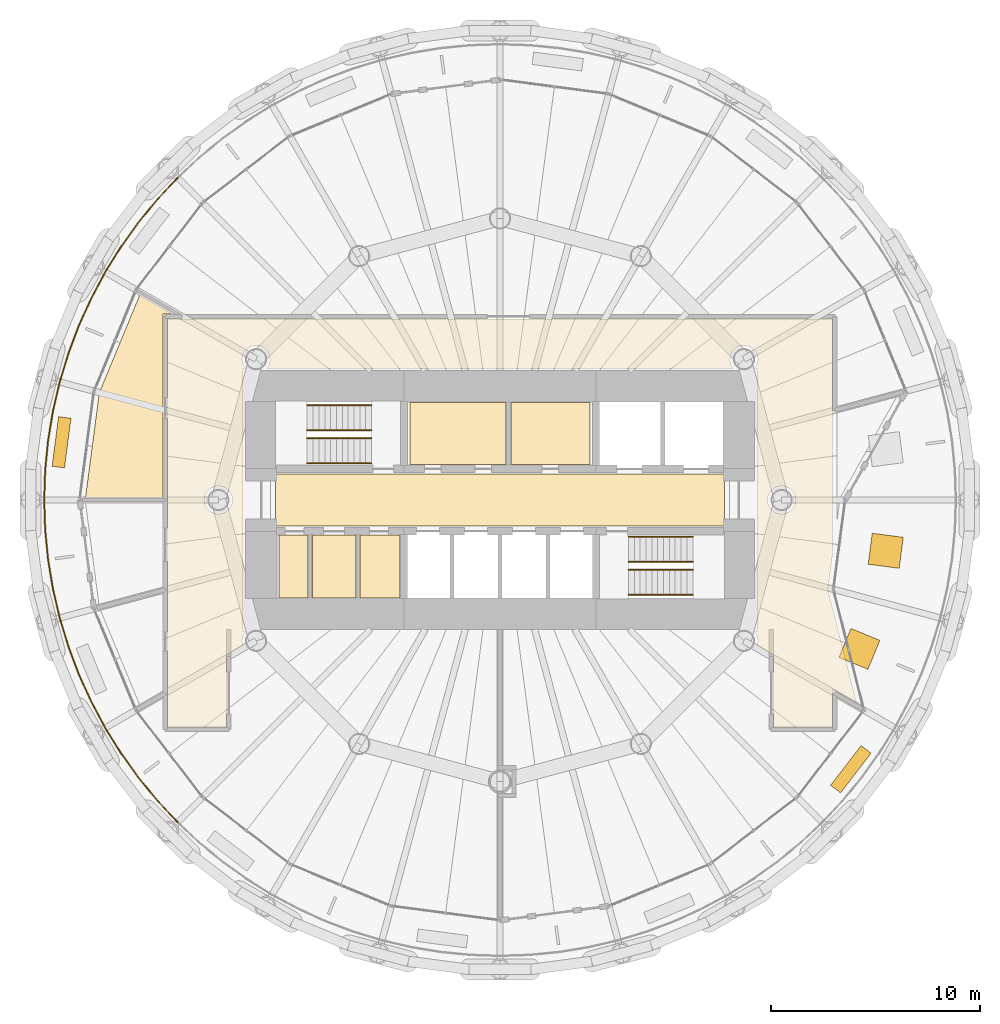
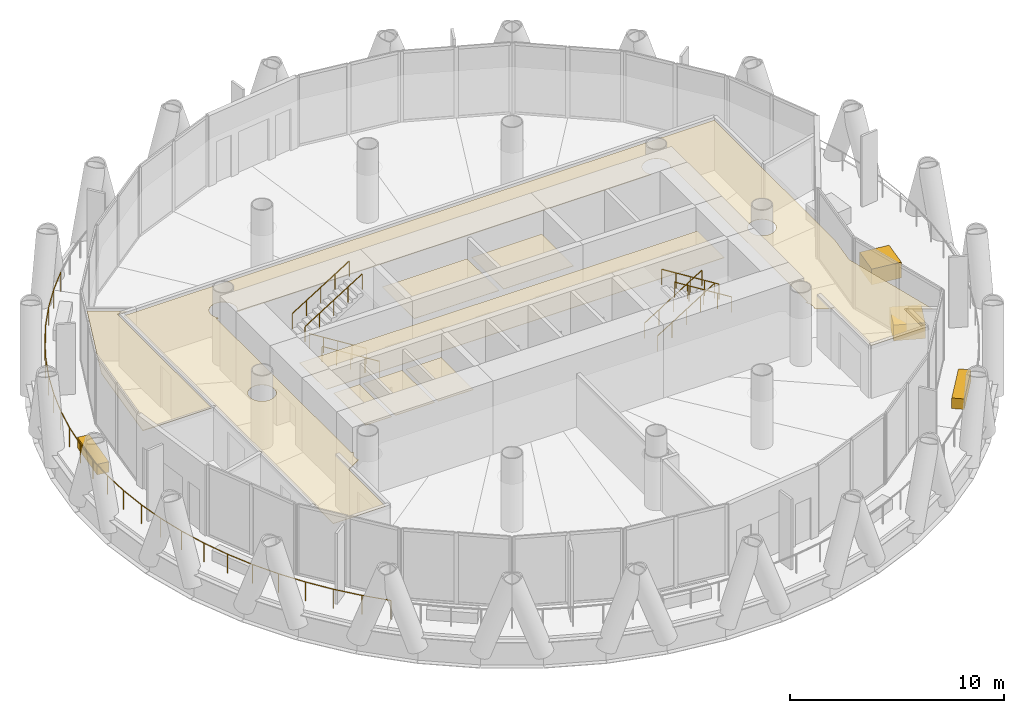
# One storey, part 12 of 13: 12 coverings, 9 railings.
"""IFC4 building model written with IfcOpenShell, lengths in metres."""

from ifc_helpers import new_model, si_unit, direction, frame, origin, origin_2d, place, context, subcontext, project, spatial, polyline, rectangle, circle, outline, extrude, material, layer, layer_set, type_object, element, save


model = new_model("IFC4")

# Units and contexts
model_context = context("Model", 3, precision=1e-05, world=origin(), true_north=direction((0.0, 1.0)))
body_context = subcontext(model_context, "Body", "Model", "MODEL_VIEW")
ifc_project = project(units=[si_unit("LENGTHUNIT", "METRE"), si_unit("AREAUNIT", "SQUARE_METRE"), si_unit("VOLUMEUNIT", "CUBIC_METRE"), si_unit("PLANEANGLEUNIT", "RADIAN"), si_unit("MASSUNIT", "GRAM", prefix="KILO")], contexts=[model_context])

# Site, building, storey
site_placement = place(None, origin())
site = spatial("IfcSite", under=ifc_project, at=site_placement, CompositionType="ELEMENT")
building_placement = place(site_placement, origin())
building = spatial("IfcBuilding", under=site, at=building_placement, Name="Qaws Media Tower", CompositionType="ELEMENT")
storey_placement = place(building_placement, frame((0.0, 0.0, 223.39990234375)))
storey = spatial("IfcBuildingStorey", under=building, at=storey_placement, Name="L51", CompositionType="ELEMENT", Elevation=223.39990234375)

# Covering
ifc_material_1 = material(Name="40 perforated acoustic panels with mineral wool backing, suspended", Category="mineral fibre")
ifc_layer_1 = layer(ifc_material_1, 0.0400390625)
ifc_layer_set_1 = layer_set([ifc_layer_1], Name="Acoustic panel ceiling 40")
covering_type_1 = type_object("IfcCoveringType", Name="Acoustic panel ceiling 40", PredefinedType="CEILING", material=ifc_layer_set_1)
covering_1_placement = place(storey_placement, frame((0.0, 0.0, 2.85009765625)))
element("IfcCovering", 1, at=covering_1_placement, inside=storey, type_object=covering_type_1, Name="CL3 ceiling L51-03 Meeting room", PredefinedType="CEILING", context=body_context, shape_type="SweptSolid", body=[
    extrude(outline(polyline([(40.792236328125, 55.146728515625), (42.735595703125, 59.837890625), (44.338134765625, 58.91259765625), (43.83740234375, 58.91259765625), (43.83740234375, 50.112548828125), (40.129638671875, 50.112548828125), (40.792236328125, 55.146728515625)])), origin(), (0.0, 0.0, 1.0), 0.0400390625),
])

# Railing
ifc_material_2 = material(Name="Stainless steel and glass guard", Category="steel")
railing_type_1 = type_object("IfcRailingType", Name="Balcony guard 1100", PredefinedType="GUARDRAIL", material=ifc_material_2)
railing_placement = place(storey_placement, frame((44.5498046875, 65.4501953125, 0.0)))
element("IfcRailing", 2, at=railing_placement, inside=storey, type_object=railing_type_1, Name="GR1 balcony guard L51-2", PredefinedType="GUARDRAIL", context=body_context, shape_type="SweptSolid", body=[
    extrude(circle(Radius=0.02392578125, at=origin_2d()), frame((0.0, 0.0, 1.076171875), z_axis=(-0.683679813889, -0.729782099041, 0.0), x_axis=(0.729782099041, -0.683679813889, 0.0)), (0.0, 0.0, 1.0), 1.429931640625),
    extrude(circle(Radius=0.02392578125, at=origin_2d()), frame((-0.9775390625, -1.04345703125, 1.076171875), z_axis=(-0.634371561759, -0.773028279969, 0.0), x_axis=(0.773028279969, -0.634371561759, 0.0)), (0.0, 0.0, 1.0), 1.4296875),
    extrude(circle(Radius=0.02392578125, at=origin_2d()), frame((-1.884521484375, -2.148681640625, 1.076171875), z_axis=(-0.582513301759, -0.812821169307, 0.0), x_axis=(0.812821169307, -0.582513301759, 0.0)), (0.0, 0.0, 1.0), 1.429931640625),
    extrude(circle(Radius=0.02392578125, at=origin_2d()), frame((-2.717529296875, -3.31103515625, 1.076171875), z_axis=(-0.528017343672, -0.849233586701, 0.0), x_axis=(0.849233586701, -0.528017343672, 0.0)), (0.0, 0.0, 1.0), 1.4296875),
    extrude(circle(Radius=0.02392578125, at=origin_2d()), frame((-3.472412109375, -4.525146484375, 1.076171875), z_axis=(-0.47142993515, -0.881903518671, 0.0), x_axis=(0.881903518671, -0.47142993515, 0.0)), (0.0, 0.0, 1.0), 1.429931640625),
    extrude(circle(Radius=0.02392578125, at=origin_2d()), frame((-4.146484375, -5.7861328125, 1.076171875), z_axis=(-0.412670616645, -0.910880322632, 0.0), x_axis=(0.910880322632, -0.412670616645, 0.0)), (0.0, 0.0, 1.0), 1.429931640625),
    extrude(circle(Radius=0.02392578125, at=origin_2d()), frame((-4.736572265625, -7.088623046875, 1.076171875), z_axis=(-0.352264656724, -0.935900428263, 0.0), x_axis=(0.935900428263, -0.352264656724, 0.0)), (0.0, 0.0, 1.0), 1.4296875),
    extrude(circle(Radius=0.02392578125, at=origin_2d()), frame((-5.240234375, -8.4267578125, 1.076171875), z_axis=(-0.290291742868, -0.956938192373, 0.0), x_axis=(0.956938192373, -0.290291742868, 0.0)), (0.0, 0.0, 1.0), 1.4296875),
    extrude(circle(Radius=0.02392578125, at=origin_2d()), frame((-5.6552734375, -9.794921875, 1.076171875), z_axis=(-0.227078487483, -0.973876460606, 0.0), x_axis=(0.973876460606, -0.227078487483, 0.0)), (0.0, 0.0, 1.0), 1.429931640625),
    extrude(circle(Radius=0.02392578125, at=origin_2d()), frame((-5.97998046875, -11.1875, 1.076171875), z_axis=(-0.162903508683, -0.98664200542, 0.0), x_axis=(0.98664200542, -0.162903508683, 0.0)), (0.0, 0.0, 1.0), 1.4296875),
    extrude(circle(Radius=0.02392578125, at=origin_2d()), frame((-6.212890625, -12.59814453125, 1.076171875), z_axis=(-0.097999150804, -0.995186498322, 0.0), x_axis=(0.995186498322, -0.097999150804, 0.0)), (0.0, 0.0, 1.0), 1.429931640625),
    extrude(circle(Radius=0.02392578125, at=origin_2d()), frame((-6.35302734375, -14.021240234375, 1.076171875), z_axis=(-0.032786054915, -0.999462392791, 0.0), x_axis=(0.999462392791, -0.032786054915, 0.0)), (0.0, 0.0, 1.0), 1.4296875),
    extrude(circle(Radius=0.02392578125, at=origin_2d()), frame((-6.39990234375, -15.4501953125, 1.076171875), z_axis=(0.032786054915, -0.999462392791, 0.0), x_axis=(0.999462392791, 0.032786054915, 0.0)), (0.0, 0.0, 1.0), 1.4296875),
    extrude(circle(Radius=0.02392578125, at=origin_2d()), frame((-6.35302734375, -16.879150390625, 1.076171875), z_axis=(0.097999150804, -0.995186498322, 0.0), x_axis=(0.995186498322, 0.097999150804, 0.0)), (0.0, 0.0, 1.0), 1.429931640625),
    extrude(circle(Radius=0.02392578125, at=origin_2d()), frame((-6.212890625, -18.30224609375, 1.076171875), z_axis=(0.162903508683, -0.98664200542, 0.0), x_axis=(0.98664200542, 0.162903508683, 0.0)), (0.0, 0.0, 1.0), 1.4296875),
    extrude(circle(Radius=0.02392578125, at=origin_2d()), frame((-5.97998046875, -19.712890625, 1.076171875), z_axis=(0.227078487483, -0.973876460606, 0.0), x_axis=(0.973876460606, 0.227078487483, 0.0)), (0.0, 0.0, 1.0), 1.429931640625),
    extrude(circle(Radius=0.02392578125, at=origin_2d()), frame((-5.6552734375, -21.10546875, 1.076171875), z_axis=(0.290291742868, -0.956938192373, 0.0), x_axis=(0.956938192373, 0.290291742868, 0.0)), (0.0, 0.0, 1.0), 1.4296875),
    extrude(circle(Radius=0.02392578125, at=origin_2d()), frame((-5.240234375, -22.4736328125, 1.076171875), z_axis=(0.352264656724, -0.935900428263, 0.0), x_axis=(0.935900428263, 0.352264656724, 0.0)), (0.0, 0.0, 1.0), 1.4296875),
    extrude(circle(Radius=0.02392578125, at=origin_2d()), frame((-4.736572265625, -23.811767578125, 1.076171875), z_axis=(0.412670616645, -0.910880322632, 0.0), x_axis=(0.910880322632, 0.412670616645, 0.0)), (0.0, 0.0, 1.0), 1.429931640625),
    extrude(circle(Radius=0.02392578125, at=origin_2d()), frame((-4.146484375, -25.1142578125, 1.076171875), z_axis=(0.47142993515, -0.881903518671, 0.0), x_axis=(0.881903518671, 0.47142993515, 0.0)), (0.0, 0.0, 1.0), 1.429931640625),
    extrude(circle(Radius=0.02392578125, at=origin_2d()), frame((-3.472412109375, -26.375244140625, 1.076171875), z_axis=(0.528017343672, -0.849233586701, 0.0), x_axis=(0.849233586701, 0.528017343672, 0.0)), (0.0, 0.0, 1.0), 1.4296875),
    extrude(circle(Radius=0.02392578125, at=origin_2d()), frame((-2.717529296875, -27.58935546875, 1.076171875), z_axis=(0.582513301759, -0.812821169307, 0.0), x_axis=(0.812821169307, 0.582513301759, 0.0)), (0.0, 0.0, 1.0), 1.429931640625),
    extrude(circle(Radius=0.02392578125, at=origin_2d()), frame((-1.884521484375, -28.751708984375, 1.076171875), z_axis=(0.634371561759, -0.773028279969, 0.0), x_axis=(0.773028279969, 0.634371561759, 0.0)), (0.0, 0.0, 1.0), 1.4296875),
    extrude(circle(Radius=0.02392578125, at=origin_2d()), frame((-0.9775390625, -29.85693359375, 1.076171875), z_axis=(0.683679813889, -0.729782099041, 0.0), x_axis=(0.729782099041, 0.683679813889, 0.0)), (0.0, 0.0, 1.0), 1.429931640625),
    extrude(circle(Radius=0.02099609375, at=origin_2d()), origin(), (0.0, 0.0, 1.0), 1.052001953125),
    extrude(circle(Radius=0.02099609375, at=origin_2d()), frame((-0.9775390625, -1.04345703125, 0.0)), (0.0, 0.0, 1.0), 1.052001953125),
    extrude(circle(Radius=0.02099609375, at=origin_2d()), frame((-1.884521484375, -2.148681640625, 0.0)), (0.0, 0.0, 1.0), 1.052001953125),
    extrude(circle(Radius=0.02099609375, at=origin_2d()), frame((-2.717529296875, -3.31103515625, 0.0)), (0.0, 0.0, 1.0), 1.052001953125),
    extrude(circle(Radius=0.02099609375, at=origin_2d()), frame((-3.472412109375, -4.525146484375, 0.0)), (0.0, 0.0, 1.0), 1.052001953125),
    extrude(circle(Radius=0.02099609375, at=origin_2d()), frame((-4.146484375, -5.7861328125, 0.0)), (0.0, 0.0, 1.0), 1.052001953125),
    extrude(circle(Radius=0.02099609375, at=origin_2d()), frame((-4.736572265625, -7.088623046875, 0.0)), (0.0, 0.0, 1.0), 1.052001953125),
    extrude(circle(Radius=0.02099609375, at=origin_2d()), frame((-5.240234375, -8.4267578125, 0.0)), (0.0, 0.0, 1.0), 1.052001953125),
    extrude(circle(Radius=0.02099609375, at=origin_2d()), frame((-5.6552734375, -9.794921875, 0.0)), (0.0, 0.0, 1.0), 1.052001953125),
    extrude(circle(Radius=0.02099609375, at=origin_2d()), frame((-5.97998046875, -11.1875, 0.0)), (0.0, 0.0, 1.0), 1.052001953125),
    extrude(circle(Radius=0.02099609375, at=origin_2d()), frame((-6.212890625, -12.59814453125, 0.0)), (0.0, 0.0, 1.0), 1.052001953125),
    extrude(circle(Radius=0.02099609375, at=origin_2d()), frame((-6.35302734375, -14.021240234375, 0.0)), (0.0, 0.0, 1.0), 1.052001953125),
    extrude(circle(Radius=0.02099609375, at=origin_2d()), frame((-6.39990234375, -15.4501953125, 0.0)), (0.0, 0.0, 1.0), 1.052001953125),
    extrude(circle(Radius=0.02099609375, at=origin_2d()), frame((-6.35302734375, -16.879150390625, 0.0)), (0.0, 0.0, 1.0), 1.052001953125),
    extrude(circle(Radius=0.02099609375, at=origin_2d()), frame((-6.212890625, -18.30224609375, 0.0)), (0.0, 0.0, 1.0), 1.052001953125),
    extrude(circle(Radius=0.02099609375, at=origin_2d()), frame((-5.97998046875, -19.712890625, 0.0)), (0.0, 0.0, 1.0), 1.052001953125),
    extrude(circle(Radius=0.02099609375, at=origin_2d()), frame((-5.6552734375, -21.10546875, 0.0)), (0.0, 0.0, 1.0), 1.052001953125),
    extrude(circle(Radius=0.02099609375, at=origin_2d()), frame((-5.240234375, -22.4736328125, 0.0)), (0.0, 0.0, 1.0), 1.052001953125),
    extrude(circle(Radius=0.02099609375, at=origin_2d()), frame((-4.736572265625, -23.811767578125, 0.0)), (0.0, 0.0, 1.0), 1.052001953125),
    extrude(circle(Radius=0.02099609375, at=origin_2d()), frame((-4.146484375, -25.1142578125, 0.0)), (0.0, 0.0, 1.0), 1.052001953125),
    extrude(circle(Radius=0.02099609375, at=origin_2d()), frame((-3.472412109375, -26.375244140625, 0.0)), (0.0, 0.0, 1.0), 1.052001953125),
    extrude(circle(Radius=0.02099609375, at=origin_2d()), frame((-2.717529296875, -27.58935546875, 0.0)), (0.0, 0.0, 1.0), 1.052001953125),
    extrude(circle(Radius=0.02099609375, at=origin_2d()), frame((-1.884521484375, -28.751708984375, 0.0)), (0.0, 0.0, 1.0), 1.052001953125),
    extrude(circle(Radius=0.02099609375, at=origin_2d()), frame((-0.9775390625, -29.85693359375, 0.0)), (0.0, 0.0, 1.0), 1.052001953125),
    extrude(circle(Radius=0.02099609375, at=origin_2d()), frame((0.0, -30.900390625, 0.0)), (0.0, 0.0, 1.0), 1.052001953125),
])

# Coverings
ifc_material_3 = material(Name="600 x 600 mineral fibre tiles in exposed grid, suspended", Category="mineral fibre")
ifc_layer_2 = layer(ifc_material_3, 0.02001953125)
ifc_layer_set_2 = layer_set([ifc_layer_2], Name="Mineral fibre tile ceiling 20")
covering_type_2 = type_object("IfcCoveringType", Name="Mineral fibre tile ceiling 20", PredefinedType="CEILING", material=ifc_layer_set_2)
covering_2_placement = place(storey_placement, frame((0.0, 0.0, 2.85009765625)))
element("IfcCovering", 3, at=covering_2_placement, inside=storey, type_object=covering_type_2, Name="CL1 ceiling L51-C07 Ladies toilets", PredefinedType="CEILING", context=body_context, shape_type="SweptSolid", body=[
    extrude(outline(polyline([(55.695068359375, 51.695068359375), (55.695068359375, 54.679931640625), (60.2822265625, 54.679931640625), (60.2822265625, 51.695068359375), (55.695068359375, 51.695068359375)])), origin(), (0.0, 0.0, 1.0), 0.02001953125),
])
covering_3_placement = place(storey_placement, frame((0.0, 0.0, 2.85009765625)))
element("IfcCovering", 4, at=covering_3_placement, inside=storey, type_object=covering_type_2, Name="CL1 ceiling L51-C08 Gents toilets", PredefinedType="CEILING", context=body_context, shape_type="SweptSolid", body=[
    extrude(outline(polyline([(60.522216796875, 51.695068359375), (60.522216796875, 54.679931640625), (64.304931640625, 54.679931640625), (64.304931640625, 51.695068359375), (60.522216796875, 51.695068359375)])), origin(), (0.0, 0.0, 1.0), 0.02001953125),
])
covering_4_placement = place(storey_placement, frame((0.0, 0.0, 2.85009765625)))
element("IfcCovering", 5, at=covering_4_placement, inside=storey, type_object=covering_type_2, Name="CL1 ceiling L51-01 Corridor", PredefinedType="CEILING", context=body_context, shape_type="SweptSolid", body=[
    extrude(outline(polyline([(75.9375, 40.928466796875), (75.9375, 39.112548828125), (73.112548828125, 39.112548828125), (73.112548828125, 42.559326171875), (72.31689453125, 43.018798828125), (72.336669921875, 43.0771484375), (72.353515625, 43.162841796875), (72.359375, 43.25), (72.353515625, 43.337158203125), (72.336669921875, 43.4228515625), (72.30859375, 43.505615234375), (72.269775390625, 43.583984375), (72.22119140625, 43.65673828125), (72.1943359375, 43.6875), (72.3125, 43.6875), (72.3125, 56.3125), (72.1943359375, 56.3125), (72.22119140625, 56.34326171875), (72.269775390625, 56.416015625), (72.30859375, 56.494384765625), (72.336669921875, 56.5771484375), (72.353515625, 56.662841796875), (72.359375, 56.75), (72.353515625, 56.837158203125), (72.336669921875, 56.9228515625), (72.30859375, 57.005615234375), (72.269775390625, 57.083984375), (72.22119140625, 57.15673828125), (72.163818359375, 57.222412109375), (72.097900390625, 57.280029296875), (72.025390625, 57.32861328125), (71.947021484375, 57.3671875), (71.8642578125, 57.395263671875), (71.778564453125, 57.412353515625), (71.69140625, 57.41796875), (71.604248046875, 57.412353515625), (71.5185546875, 57.395263671875), (71.435791015625, 57.3671875), (71.357421875, 57.32861328125), (71.28466796875, 57.280029296875), (71.218994140625, 57.222412109375), (71.161376953125, 57.15673828125), (71.11279296875, 57.083984375), (71.07421875, 57.005615234375), (71.046142578125, 56.9228515625), (71.029052734375, 56.837158203125), (71.023193359375, 56.75), (71.029052734375, 56.662841796875), (71.046142578125, 56.5771484375), (71.07421875, 56.494384765625), (71.11279296875, 56.416015625), (71.161376953125, 56.34326171875), (71.1884765625, 56.3125), (48.8115234375, 56.3125), (48.838623046875, 56.34326171875), (48.88720703125, 56.416015625), (48.92578125, 56.494384765625), (48.953857421875, 56.5771484375), (48.970947265625, 56.662841796875), (48.976806640625, 56.75), (48.970947265625, 56.837158203125), (48.953857421875, 56.9228515625), (48.92578125, 57.005615234375), (48.88720703125, 57.083984375), (48.838623046875, 57.15673828125), (48.781005859375, 57.222412109375), (48.71533203125, 57.280029296875), (48.642578125, 57.32861328125), (48.564208984375, 57.3671875), (48.4814453125, 57.395263671875), (48.395751953125, 57.412353515625), (48.30859375, 57.41796875), (48.221435546875, 57.412353515625), (48.1357421875, 57.395263671875), (48.052978515625, 57.3671875), (47.974609375, 57.32861328125), (47.902099609375, 57.280029296875), (47.836181640625, 57.222412109375), (47.77880859375, 57.15673828125), (47.730224609375, 57.083984375), (47.69140625, 57.005615234375), (47.663330078125, 56.9228515625), (47.646484375, 56.837158203125), (47.640625, 56.75), (47.646484375, 56.662841796875), (47.663330078125, 56.5771484375), (47.69140625, 56.494384765625), (47.730224609375, 56.416015625), (47.77880859375, 56.34326171875), (47.8056640625, 56.3125), (47.6875, 56.3125), (47.6875, 43.6875), (47.8056640625, 43.6875), (47.77880859375, 43.65673828125), (47.730224609375, 43.583984375), (47.69140625, 43.505615234375), (47.663330078125, 43.4228515625), (47.646484375, 43.337158203125), (47.640625, 43.25), (47.646484375, 43.162841796875), (47.663330078125, 43.0771484375), (47.68310546875, 43.018798828125), (46.887451171875, 42.559326171875), (46.887451171875, 39.112548828125), (44.0625, 39.112548828125), (44.0625, 58.6875), (75.9375, 58.6875), (75.9375, 47.358642578125), (75.71923828125, 45.700927734375), (77.094970703125, 40.26025390625), (75.9375, 40.928466796875)]), holes=[polyline([(47.1171875, 49.744384765625), (47.145263671875, 49.8271484375), (47.162353515625, 49.912841796875), (47.16796875, 50.0), (47.162353515625, 50.087158203125), (47.145263671875, 50.1728515625), (47.1171875, 50.255615234375), (47.07861328125, 50.333984375), (47.030029296875, 50.40673828125), (46.972412109375, 50.472412109375), (46.90673828125, 50.530029296875), (46.833984375, 50.57861328125), (46.755615234375, 50.6171875), (46.6728515625, 50.645263671875), (46.587158203125, 50.662353515625), (46.5, 50.66796875), (46.412841796875, 50.662353515625), (46.3271484375, 50.645263671875), (46.244384765625, 50.6171875), (46.166015625, 50.57861328125), (46.09326171875, 50.530029296875), (46.027587890625, 50.472412109375), (45.969970703125, 50.40673828125), (45.92138671875, 50.333984375), (45.8828125, 50.255615234375), (45.854736328125, 50.1728515625), (45.837646484375, 50.087158203125), (45.83203125, 50.0), (45.837646484375, 49.912841796875), (45.854736328125, 49.8271484375), (45.8828125, 49.744384765625), (45.92138671875, 49.666015625), (45.969970703125, 49.59326171875), (46.027587890625, 49.527587890625), (46.09326171875, 49.469970703125), (46.166015625, 49.42138671875), (46.244384765625, 49.3828125), (46.3271484375, 49.354736328125), (46.412841796875, 49.337646484375), (46.5, 49.33203125), (46.587158203125, 49.337646484375), (46.6728515625, 49.354736328125), (46.755615234375, 49.3828125), (46.833984375, 49.42138671875), (46.90673828125, 49.469970703125), (46.972412109375, 49.527587890625), (47.030029296875, 49.59326171875), (47.07861328125, 49.666015625), (47.1171875, 49.744384765625)]), polyline([(74.145263671875, 49.8271484375), (74.162353515625, 49.912841796875), (74.16796875, 50.0), (74.162353515625, 50.087158203125), (74.145263671875, 50.1728515625), (74.1171875, 50.255615234375), (74.07861328125, 50.333984375), (74.030029296875, 50.40673828125), (73.972412109375, 50.472412109375), (73.90673828125, 50.530029296875), (73.833984375, 50.57861328125), (73.755615234375, 50.6171875), (73.6728515625, 50.645263671875), (73.587158203125, 50.662353515625), (73.5, 50.66796875), (73.412841796875, 50.662353515625), (73.3271484375, 50.645263671875), (73.244384765625, 50.6171875), (73.166015625, 50.57861328125), (73.09326171875, 50.530029296875), (73.027587890625, 50.472412109375), (72.969970703125, 50.40673828125), (72.92138671875, 50.333984375), (72.8828125, 50.255615234375), (72.854736328125, 50.1728515625), (72.837646484375, 50.087158203125), (72.83203125, 50.0), (72.837646484375, 49.912841796875), (72.854736328125, 49.8271484375), (72.8828125, 49.744384765625), (72.92138671875, 49.666015625), (72.969970703125, 49.59326171875), (73.027587890625, 49.527587890625), (73.09326171875, 49.469970703125), (73.166015625, 49.42138671875), (73.244384765625, 49.3828125), (73.3271484375, 49.354736328125), (73.412841796875, 49.337646484375), (73.5, 49.33203125), (73.587158203125, 49.337646484375), (73.6728515625, 49.354736328125), (73.755615234375, 49.3828125), (73.833984375, 49.42138671875), (73.90673828125, 49.469970703125), (73.972412109375, 49.527587890625), (74.030029296875, 49.59326171875), (74.07861328125, 49.666015625), (74.1171875, 49.744384765625), (74.145263671875, 49.8271484375)])]), origin(), (0.0, 0.0, 1.0), 0.02001953125),
])
covering_5_placement = place(storey_placement, frame((0.0, 0.0, 2.85009765625)))
element("IfcCovering", 6, at=covering_5_placement, inside=storey, type_object=covering_type_2, Name="CL1 ceiling L51-C04 Cleaner's room", PredefinedType="CEILING", context=body_context, shape_type="SweptSolid", body=[
    extrude(outline(polyline([(49.39990234375, 45.300048828125), (49.39990234375, 48.324951171875), (50.800048828125, 48.324951171875), (50.800048828125, 45.300048828125), (49.39990234375, 45.300048828125)])), origin(), (0.0, 0.0, 1.0), 0.02001953125),
])
covering_6_placement = place(storey_placement, frame((0.0, 0.0, 2.85009765625)))
element("IfcCovering", 7, at=covering_6_placement, inside=storey, type_object=covering_type_2, Name="CL1 ceiling L51-C06 Mothers' room", PredefinedType="CEILING", context=body_context, shape_type="SweptSolid", body=[
    extrude(outline(polyline([(53.300048828125, 45.300048828125), (53.300048828125, 48.324951171875), (55.199951171875, 48.324951171875), (55.199951171875, 45.300048828125), (53.300048828125, 45.300048828125)])), origin(), (0.0, 0.0, 1.0), 0.02001953125),
])
ifc_material_4 = material(Name="Precast concrete planter with trailing planting", Category="concrete")
ifc_layer_3 = layer(ifc_material_4, 0.60009765625)
ifc_layer_set_3 = layer_set([ifc_layer_3], Name="Planter 2400x600")
covering_type_3 = type_object("IfcCoveringType", Name="Planter 2400x600", PredefinedType="USERDEFINED", material=ifc_layer_set_3)
for number, where, z_axis, x_axis, name in (
    (8, (38.9814453125, 52.76708984375, 0.0), (0.0, 0.0, 1.0), (-0.13052619222, -0.991444861374, 0.0), "PL1 balcony planter L51-06"),
    (9, (76.819091796875, 37.09423828125, 0.0), (0.0, 0.0, 1.0), (0.608761429009, 0.793353340291, 0.0), "PL1 balcony planter L51-11"),
):
    element("IfcCovering", number, at=place(storey_placement, frame(where, z_axis=z_axis, x_axis=x_axis)), inside=storey, type_object=covering_type_3, Name=name, ObjectType="PLANTER", PredefinedType="USERDEFINED", context=body_context, shape_type="SweptSolid", body=[
        extrude(rectangle(XDim=2.39990234375, YDim=0.60009765625, at=origin_2d()), origin(), (0.0, 0.0, 1.0), 0.60009765625),
    ])
ifc_material_5 = material(Name="Two layers 12.5 moisture-resistant plasterboard on suspended metal furring", Category="gypsum")
ifc_layer_4 = layer(ifc_material_5, 0.02490234375)
ifc_layer_set_4 = layer_set([ifc_layer_4], Name="Plasterboard ceiling 25")
covering_type_4 = type_object("IfcCoveringType", Name="Plasterboard ceiling 25", PredefinedType="CEILING", material=ifc_layer_set_4)
covering_7_placement = place(storey_placement, frame((0.0, 0.0, 2.85009765625)))
element("IfcCovering", 10, at=covering_7_placement, inside=storey, type_object=covering_type_4, Name="CL2 ceiling L51-C01 Lift lobby", PredefinedType="CEILING", context=body_context, shape_type="SweptSolid", body=[
    extrude(outline(polyline([(49.25, 48.75), (49.25, 51.25), (70.75, 51.25), (70.75, 48.75), (49.25, 48.75)])), origin(), (0.0, 0.0, 1.0), 0.02490234375),
])
covering_8_placement = place(storey_placement, frame((0.0, 0.0, 2.85009765625)))
element("IfcCovering", 11, at=covering_8_placement, inside=storey, type_object=covering_type_4, Name="CL2 ceiling L51-C05 Accessible WC", PredefinedType="CEILING", context=body_context, shape_type="SweptSolid", body=[
    extrude(outline(polyline([(51.0, 45.300048828125), (51.0, 48.324951171875), (53.10009765625, 48.324951171875), (53.10009765625, 45.300048828125), (51.0, 45.300048828125)])), origin(), (0.0, 0.0, 1.0), 0.02490234375),
])

# Railings
ifc_material_6 = material(Name="Steel tube handrail", Category="steel")
railing_type_2 = type_object("IfcRailingType", Name="Stair handrail 900", PredefinedType="HANDRAIL", material=ifc_material_6)
for number, where, name in (
    (12, (53.840087890625, 51.75, 0.175048828125), "HR1 handrail S1 flight 1 L51"),
    (13, (53.840087890625, 52.9599609375, 0.175048828125), "HR1 handrail S1 flight 1 L51"),
):
    element("IfcRailing", number, at=place(storey_placement, frame(where)), inside=storey, type_object=railing_type_2, Name=name, PredefinedType="HANDRAIL", context=body_context, shape_type="SweptSolid", body=[
        extrude(circle(Radius=0.02392578125, at=origin_2d()), frame((0.0, 0.0, 0.8759765625), z_axis=(-0.847998304005, 0.0, 0.529998940003), x_axis=(0.0, -1.0, 0.0)), (0.0, 0.0, 1.0), 3.632080078125),
        extrude(circle(Radius=0.02099609375, at=origin_2d()), origin(), (0.0, 0.0, 1.0), 0.851806640625),
        extrude(circle(Radius=0.02099609375, at=origin_2d()), frame((-0.77001953125, 0.0, 0.481201171875)), (0.0, 0.0, 1.0), 0.851806640625),
        extrude(circle(Radius=0.02099609375, at=origin_2d()), frame((-1.5400390625, 0.0, 0.96240234375)), (0.0, 0.0, 1.0), 0.851806640625),
        extrude(circle(Radius=0.02099609375, at=origin_2d()), frame((-2.31005859375, 0.0, 1.44384765625)), (0.0, 0.0, 1.0), 0.851806640625),
        extrude(circle(Radius=0.02099609375, at=origin_2d()), frame((-3.080078125, 0.0, 1.925048828125)), (0.0, 0.0, 1.0), 0.851806640625),
    ])
for number, where, name in (
    (14, (50.760009765625, 54.550048828125, 2.275146484375), "HR1 handrail S1 flight 2 L51"),
    (15, (50.760009765625, 53.340087890625, 2.275146484375), "HR1 handrail S1 flight 2 L51"),
    (16, (66.159912109375, 48.25, 0.175048828125), "HR1 handrail S2 flight 1 L51"),
    (17, (66.159912109375, 47.0400390625, 0.175048828125), "HR1 handrail S2 flight 1 L51"),
):
    element("IfcRailing", number, at=place(storey_placement, frame(where)), inside=storey, type_object=railing_type_2, Name=name, PredefinedType="HANDRAIL", context=body_context, shape_type="SweptSolid", body=[
        extrude(circle(Radius=0.02392578125, at=origin_2d()), frame((0.0, 0.0, 0.8759765625), z_axis=(0.847998304005, 0.0, 0.529998940003), x_axis=(0.0, 1.0, 0.0)), (0.0, 0.0, 1.0), 3.632080078125),
        extrude(circle(Radius=0.02099609375, at=origin_2d()), origin(), (0.0, 0.0, 1.0), 0.851806640625),
        extrude(circle(Radius=0.02099609375, at=origin_2d()), frame((0.77001953125, 0.0, 0.481201171875)), (0.0, 0.0, 1.0), 0.851806640625),
        extrude(circle(Radius=0.02099609375, at=origin_2d()), frame((1.5400390625, 0.0, 0.96240234375)), (0.0, 0.0, 1.0), 0.851806640625),
        extrude(circle(Radius=0.02099609375, at=origin_2d()), frame((2.31005859375, 0.0, 1.44384765625)), (0.0, 0.0, 1.0), 0.851806640625),
        extrude(circle(Radius=0.02099609375, at=origin_2d()), frame((3.080078125, 0.0, 1.925048828125)), (0.0, 0.0, 1.0), 0.851806640625),
    ])
for number, where, name in (
    (18, (69.239990234375, 45.449951171875, 2.275146484375), "HR1 handrail S2 flight 2 L51"),
    (19, (69.239990234375, 46.659912109375, 2.275146484375), "HR1 handrail S2 flight 2 L51"),
):
    element("IfcRailing", number, at=place(storey_placement, frame(where)), inside=storey, type_object=railing_type_2, Name=name, PredefinedType="HANDRAIL", context=body_context, shape_type="SweptSolid", body=[
        extrude(circle(Radius=0.02392578125, at=origin_2d()), frame((0.0, 0.0, 0.8759765625), z_axis=(-0.847998304005, 0.0, 0.529998940003), x_axis=(0.0, -1.0, 0.0)), (0.0, 0.0, 1.0), 3.632080078125),
        extrude(circle(Radius=0.02099609375, at=origin_2d()), origin(), (0.0, 0.0, 1.0), 0.851806640625),
        extrude(circle(Radius=0.02099609375, at=origin_2d()), frame((-0.77001953125, 0.0, 0.481201171875)), (0.0, 0.0, 1.0), 0.851806640625),
        extrude(circle(Radius=0.02099609375, at=origin_2d()), frame((-1.5400390625, 0.0, 0.96240234375)), (0.0, 0.0, 1.0), 0.851806640625),
        extrude(circle(Radius=0.02099609375, at=origin_2d()), frame((-2.31005859375, 0.0, 1.44384765625)), (0.0, 0.0, 1.0), 0.851806640625),
        extrude(circle(Radius=0.02099609375, at=origin_2d()), frame((-3.080078125, 0.0, 1.925048828125)), (0.0, 0.0, 1.0), 0.851806640625),
    ])

# Coverings
ifc_material_7 = material(Name="Precast concrete tree planter", Category="concrete")
ifc_layer_5 = layer(ifc_material_7, 0.89990234375)
ifc_layer_set_5 = layer_set([ifc_layer_5], Name="Tree planter 1500")
covering_type_5 = type_object("IfcCoveringType", Name="Tree planter 1500", PredefinedType="USERDEFINED", material=ifc_layer_set_5)
for number, where, z_axis, x_axis, name in (
    (20, (77.23046875, 42.863037109375, 0.000244140625), (0.0, 0.0, 1.0), (0.923879532511, -0.382683432365, 0.0), "PL2 sky garden tree planter L51-1"),
    (21, (78.490478515625, 47.565673828125, 0.000244140625), (0.0, 0.0, 1.0), (0.991444861374, -0.13052619222, 0.0), "PL2 sky garden tree planter L51-2"),
):
    element("IfcCovering", number, at=place(storey_placement, frame(where, z_axis=z_axis, x_axis=x_axis)), inside=storey, type_object=covering_type_5, Name=name, ObjectType="PLANTER", PredefinedType="USERDEFINED", context=body_context, shape_type="SweptSolid", body=[
        extrude(rectangle(XDim=1.5, YDim=1.5, at=origin_2d()), origin(), (0.0, 0.0, 1.0), 0.89990234375),
    ])

save(model, "model.ifc")
